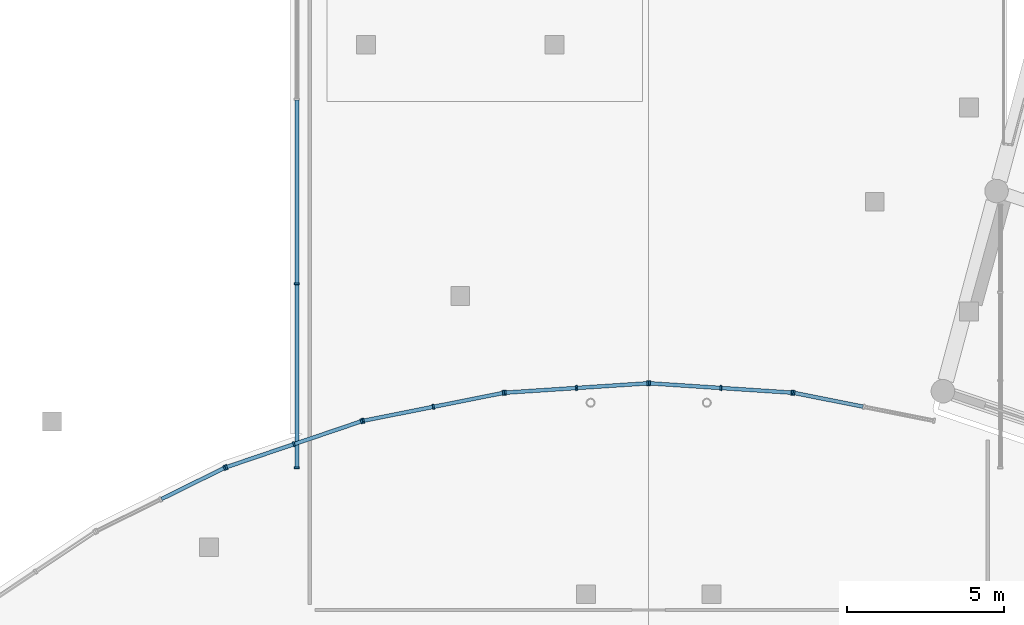
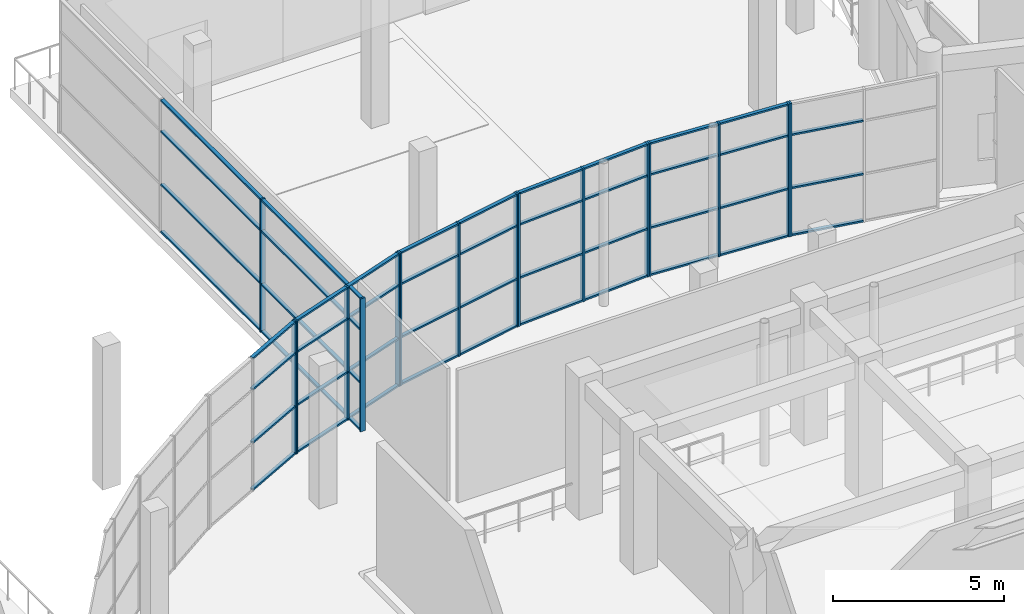
# One storey, part 39 of 99: 63 members, 7 elements without a shape of their own.
"""IFC4 building model written with IfcOpenShell, lengths in metres."""

from ifc_helpers import new_model, si_unit, direction, frame, origin, origin_2d, place, context, subcontext, project, spatial, rectangle, extrude, material, material_profile, profile_set, type_object, element, aggregate, save


model = new_model("IFC4")

# Units and contexts
model_context = context("Model", 3, precision=1e-05, world=origin(), true_north=direction((0.0, 1.0)))
body_context = subcontext(model_context, "Body", "Model", "MODEL_VIEW")
ifc_project = project(units=[si_unit("LENGTHUNIT", "METRE"), si_unit("AREAUNIT", "SQUARE_METRE"), si_unit("VOLUMEUNIT", "CUBIC_METRE"), si_unit("PLANEANGLEUNIT", "RADIAN"), si_unit("MASSUNIT", "GRAM", prefix="KILO")], contexts=[model_context])

# Site, building, storey
site_placement = place(None, origin())
site = spatial("IfcSite", under=ifc_project, at=site_placement, CompositionType="ELEMENT")
building_placement = place(site_placement, origin())
building = spatial("IfcBuilding", under=site, at=building_placement, Name="Saryqyr Civic Hall", CompositionType="ELEMENT")
storey_placement = place(building_placement, origin())
storey = spatial("IfcBuildingStorey", under=building, at=storey_placement, Name="L00", CompositionType="ELEMENT", Elevation=0.0)

# Curtain wall, members
ifc_material_1 = material(Name="Anodised aluminium and triple low-E glass", Category="aluminium")
curtain_wall_type_1 = type_object("IfcCurtainWallType", Name="ENV-CW-STD-65", PredefinedType="NOTDEFINED", material=ifc_material_1)
curtain_wall_1_placement = place(storey_placement, origin())
curtain_wall_1 = element("IfcCurtainWall", 1, at=curtain_wall_1_placement, inside=storey, type_object=curtain_wall_type_1, Name="Curtain wall V2-VESTFLK-NW-L00", PredefinedType="NOTDEFINED")
ifc_material_2 = material(Name="Anodised aluminium", Category="aluminium")
ifc_material_profile_1 = material_profile(ifc_material_2, rectangle(XDim=0.06005859375, YDim=0.159912109375, at=origin_2d()), Name="ALU MULLION 60x160")
ifc_profile_set_1 = profile_set([ifc_material_profile_1], Name="Anodised aluminium")
member_type_1 = type_object("IfcMemberType", Name="ENV-CW-MUL-180", PredefinedType="MULLION", material=ifc_profile_set_1)
member_1_placement = place(storey_placement, frame((45.800048828125, 116.530029296875, 0.0), z_axis=(0.0, 0.0, 1.0), x_axis=(0.0, 1.0, 0.0)))
member_1 = element("IfcMember", 2, at=member_1_placement, type_object=member_type_1, Name="CW-65 mullion 1", PredefinedType="MULLION", context=body_context, shape_type="SweptSolid", body=[
    extrude(rectangle(XDim=0.06005859375, YDim=0.159912109375, at=origin_2d()), origin(), (0.0, 0.0, 1.0), 4.75),
])
member_2_placement = place(storey_placement, frame((45.800048828125, 122.38330078125, 0.0), z_axis=(0.0, 0.0, 1.0), x_axis=(0.0, 1.0, 0.0)))
member_2 = element("IfcMember", 3, at=member_2_placement, type_object=member_type_1, Name="CW-65 mullion 2", PredefinedType="MULLION", context=body_context, shape_type="SweptSolid", body=[
    extrude(rectangle(XDim=0.06005859375, YDim=0.159912109375, at=origin_2d()), origin(), (0.0, 0.0, 1.0), 4.75),
])

# Curtain wall, member
curtain_wall_type_2 = type_object("IfcCurtainWallType", Name="ENV-CW-STD-67", PredefinedType="NOTDEFINED", material=ifc_material_1)
curtain_wall_2_placement = place(storey_placement, origin())
curtain_wall_2 = element("IfcCurtainWall", 4, at=curtain_wall_2_placement, inside=storey, type_object=curtain_wall_type_2, Name="Curtain wall V2-PERIM-CW-L00-10", PredefinedType="NOTDEFINED")
member_3_placement = place(storey_placement, frame((61.62646484375, 118.912841796875, 0.0), z_axis=(0.0, 0.0, 1.0), x_axis=(0.980784679507, -0.195093342902, 0.0)))
member_3 = element("IfcMember", 5, at=member_3_placement, type_object=member_type_1, Name="CW-67 mullion 1", PredefinedType="MULLION", context=body_context, shape_type="SweptSolid", body=[
    extrude(rectangle(XDim=0.06005859375, YDim=0.159912109375, at=origin_2d()), origin(), (0.0, 0.0, 1.0), 4.75),
])

# Curtain wall, members
curtain_wall_3_placement = place(storey_placement, origin())
curtain_wall_3 = element("IfcCurtainWall", 6, at=curtain_wall_3_placement, inside=storey, type_object=curtain_wall_type_2, Name="Curtain wall V2-PERIM-CW-L00-11", PredefinedType="NOTDEFINED")
member_4_placement = place(storey_placement, frame((57.030029296875, 119.218017578125, 0.0), z_axis=(0.0, 0.0, 1.0), x_axis=(0.997859062814, -0.065400999681, 0.0)))
member_4 = element("IfcMember", 7, at=member_4_placement, type_object=member_type_1, Name="CW-67 mullion 1", PredefinedType="MULLION", context=body_context, shape_type="SweptSolid", body=[
    extrude(rectangle(XDim=0.06005859375, YDim=0.159912109375, at=origin_2d()), origin(), (0.0, 0.0, 1.0), 4.75),
])
member_5_placement = place(storey_placement, frame((59.298583984375, 119.0693359375, 0.0), z_axis=(0.0, 0.0, 1.0), x_axis=(0.997859062814, -0.065400999681, 0.0)))
member_5 = element("IfcMember", 8, at=member_5_placement, type_object=member_type_1, Name="CW-67 mullion 2", PredefinedType="MULLION", context=body_context, shape_type="SweptSolid", body=[
    extrude(rectangle(XDim=0.06005859375, YDim=0.159912109375, at=origin_2d()), origin(), (0.0, 0.0, 1.0), 4.75),
])
member_6_placement = place(storey_placement, frame((61.567138671875, 118.920654296875, 0.0), z_axis=(0.0, 0.0, 1.0), x_axis=(0.997859062814, -0.065400999681, 0.0)))
member_6 = element("IfcMember", 9, at=member_6_placement, type_object=member_type_1, Name="CW-67 mullion 3", PredefinedType="MULLION", context=body_context, shape_type="SweptSolid", body=[
    extrude(rectangle(XDim=0.06005859375, YDim=0.159912109375, at=origin_2d()), origin(), (0.0, 0.0, 1.0), 4.75),
])

curtain_wall_4_placement = place(storey_placement, origin())
curtain_wall_4 = element("IfcCurtainWall", 10, at=curtain_wall_4_placement, inside=storey, type_object=curtain_wall_type_2, Name="Curtain wall V2-PERIM-CW-L00-12", PredefinedType="NOTDEFINED")
member_7_placement = place(storey_placement, frame((52.432861328125, 118.920654296875, 0.0), z_axis=(0.0, 0.0, 1.0), x_axis=(0.997859062814, 0.065400999681, 0.0)))
member_7 = element("IfcMember", 11, at=member_7_placement, type_object=member_type_1, Name="CW-67 mullion 1", PredefinedType="MULLION", context=body_context, shape_type="SweptSolid", body=[
    extrude(rectangle(XDim=0.06005859375, YDim=0.159912109375, at=origin_2d()), origin(), (0.0, 0.0, 1.0), 4.75),
])
member_8_placement = place(storey_placement, frame((54.701416015625, 119.0693359375, 0.0), z_axis=(0.0, 0.0, 1.0), x_axis=(0.997859062814, 0.065400999681, 0.0)))
member_8 = element("IfcMember", 12, at=member_8_placement, type_object=member_type_1, Name="CW-67 mullion 2", PredefinedType="MULLION", context=body_context, shape_type="SweptSolid", body=[
    extrude(rectangle(XDim=0.06005859375, YDim=0.159912109375, at=origin_2d()), origin(), (0.0, 0.0, 1.0), 4.75),
])
member_9_placement = place(storey_placement, frame((56.969970703125, 119.218017578125, 0.0), z_axis=(0.0, 0.0, 1.0), x_axis=(0.997859062814, 0.065400999681, 0.0)))
member_9 = element("IfcMember", 13, at=member_9_placement, type_object=member_type_1, Name="CW-67 mullion 3", PredefinedType="MULLION", context=body_context, shape_type="SweptSolid", body=[
    extrude(rectangle(XDim=0.06005859375, YDim=0.159912109375, at=origin_2d()), origin(), (0.0, 0.0, 1.0), 4.75),
])

curtain_wall_5_placement = place(storey_placement, origin())
curtain_wall_5 = element("IfcCurtainWall", 14, at=curtain_wall_5_placement, inside=storey, type_object=curtain_wall_type_2, Name="Curtain wall V2-PERIM-CW-L00-13", PredefinedType="NOTDEFINED")
member_10_placement = place(storey_placement, frame((47.913818359375, 118.025634765625, 0.0), z_axis=(0.0, 0.0, 1.0), x_axis=(0.980784679507, 0.195093342902, 0.0)))
member_10 = element("IfcMember", 15, at=member_10_placement, type_object=member_type_1, Name="CW-67 mullion 1", PredefinedType="MULLION", context=body_context, shape_type="SweptSolid", body=[
    extrude(rectangle(XDim=0.06005859375, YDim=0.159912109375, at=origin_2d()), origin(), (0.0, 0.0, 1.0), 4.75),
])
member_11_placement = place(storey_placement, frame((50.1435546875, 118.46923828125, 0.0), z_axis=(0.0, 0.0, 1.0), x_axis=(0.980784679507, 0.195093342902, 0.0)))
member_11 = element("IfcMember", 16, at=member_11_placement, type_object=member_type_1, Name="CW-67 mullion 2", PredefinedType="MULLION", context=body_context, shape_type="SweptSolid", body=[
    extrude(rectangle(XDim=0.06005859375, YDim=0.159912109375, at=origin_2d()), origin(), (0.0, 0.0, 1.0), 4.75),
])
member_12_placement = place(storey_placement, frame((52.37353515625, 118.912841796875, 0.0), z_axis=(0.0, 0.0, 1.0), x_axis=(0.980784679507, 0.195093342902, 0.0)))
member_12 = element("IfcMember", 17, at=member_12_placement, type_object=member_type_1, Name="CW-67 mullion 3", PredefinedType="MULLION", context=body_context, shape_type="SweptSolid", body=[
    extrude(rectangle(XDim=0.06005859375, YDim=0.159912109375, at=origin_2d()), origin(), (0.0, 0.0, 1.0), 4.75),
])

curtain_wall_6_placement = place(storey_placement, origin())
curtain_wall_6 = element("IfcCurtainWall", 18, at=curtain_wall_6_placement, inside=storey, type_object=curtain_wall_type_2, Name="Curtain wall V2-PERIM-CW-L00-14", PredefinedType="NOTDEFINED")
member_13_placement = place(storey_placement, frame((43.55029296875, 116.548583984375, 0.0), z_axis=(0.0, 0.0, 1.0), x_axis=(0.946928094828, 0.321445459178, 0.0)))
member_13 = element("IfcMember", 19, at=member_13_placement, type_object=member_type_1, Name="CW-67 mullion 1", PredefinedType="MULLION", context=body_context, shape_type="SweptSolid", body=[
    extrude(rectangle(XDim=0.06005859375, YDim=0.159912109375, at=origin_2d()), origin(), (0.0, 0.0, 1.0), 4.75),
])
member_14_placement = place(storey_placement, frame((45.703125, 117.279541015625, 0.0), z_axis=(0.0, 0.0, 1.0), x_axis=(0.946928094828, 0.321445459178, 0.0)))
member_14 = element("IfcMember", 20, at=member_14_placement, type_object=member_type_1, Name="CW-67 mullion 2", PredefinedType="MULLION", context=body_context, shape_type="SweptSolid", body=[
    extrude(rectangle(XDim=0.06005859375, YDim=0.159912109375, at=origin_2d()), origin(), (0.0, 0.0, 1.0), 4.75),
])
member_15_placement = place(storey_placement, frame((47.85595703125, 118.01025390625, 0.0), z_axis=(0.0, 0.0, 1.0), x_axis=(0.946928094828, 0.321445459178, 0.0)))
member_15 = element("IfcMember", 21, at=member_15_placement, type_object=member_type_1, Name="CW-67 mullion 3", PredefinedType="MULLION", context=body_context, shape_type="SweptSolid", body=[
    extrude(rectangle(XDim=0.06005859375, YDim=0.159912109375, at=origin_2d()), origin(), (0.0, 0.0, 1.0), 4.75),
])

# Curtain wall, member
curtain_wall_7_placement = place(storey_placement, origin())
curtain_wall_7 = element("IfcCurtainWall", 22, at=curtain_wall_7_placement, inside=storey, type_object=curtain_wall_type_2, Name="Curtain wall V2-PERIM-CW-L00-15", PredefinedType="NOTDEFINED")
member_16_placement = place(storey_placement, frame((43.494873046875, 116.525634765625, 0.0), z_axis=(0.0, 0.0, 1.0), x_axis=(0.896875116746, 0.442283873729, 0.0)))
member_16 = element("IfcMember", 23, at=member_16_placement, type_object=member_type_1, Name="CW-67 mullion 3", PredefinedType="MULLION", context=body_context, shape_type="SweptSolid", body=[
    extrude(rectangle(XDim=0.06005859375, YDim=0.159912109375, at=origin_2d()), origin(), (0.0, 0.0, 1.0), 4.75),
])

# Member
ifc_material_profile_2 = material_profile(ifc_material_2, rectangle(XDim=0.1201171875, YDim=0.06005859375, at=origin_2d()), Name="ALU TRANSOM 120x60")
ifc_profile_set_2 = profile_set([ifc_material_profile_2], Name="Anodised aluminium")
member_type_2 = type_object("IfcMemberType", Name="ENV-CW-TRN-150", PredefinedType="USERDEFINED", material=ifc_profile_set_2)
member_17_placement = place(storey_placement, frame((45.800048828125, 116.56005859375, 0.030029296875), z_axis=(0.0, 1.0, 0.0), x_axis=(-1.0, 0.0, 0.0)))
member_17 = element("IfcMember", 24, at=member_17_placement, type_object=member_type_2, Name="CW-65 transom 1.1", ObjectType="TRANSOM", PredefinedType="USERDEFINED", context=body_context, shape_type="SweptSolid", body=[
    extrude(rectangle(XDim=0.1201171875, YDim=0.06005859375, at=origin_2d()), origin(), (0.0, 0.0, 1.0), 5.793212890625),
])

member_18_placement = place(storey_placement, frame((45.800048828125, 116.56005859375, 1.7099609375), z_axis=(0.0, 1.0, 0.0), x_axis=(-1.0, 0.0, 0.0)))
member_18 = element("IfcMember", 25, at=member_18_placement, type_object=member_type_2, Name="CW-65 transom 1.2", ObjectType="TRANSOM", PredefinedType="USERDEFINED", context=body_context, shape_type="SweptSolid", body=[
    extrude(rectangle(XDim=0.1201171875, YDim=0.06005859375, at=origin_2d()), origin(), (0.0, 0.0, 1.0), 5.793212890625),
])

member_19_placement = place(storey_placement, frame((45.800048828125, 116.56005859375, 3.610107421875), z_axis=(0.0, 1.0, 0.0), x_axis=(-1.0, 0.0, 0.0)))
member_19 = element("IfcMember", 26, at=member_19_placement, type_object=member_type_2, Name="CW-65 transom 1.3", ObjectType="TRANSOM", PredefinedType="USERDEFINED", context=body_context, shape_type="SweptSolid", body=[
    extrude(rectangle(XDim=0.1201171875, YDim=0.06005859375, at=origin_2d()), origin(), (0.0, 0.0, 1.0), 5.793212890625),
])

member_20_placement = place(storey_placement, frame((45.800048828125, 116.56005859375, 4.719970703125), z_axis=(0.0, 1.0, 0.0), x_axis=(-1.0, 0.0, 0.0)))
member_20 = element("IfcMember", 27, at=member_20_placement, type_object=member_type_2, Name="CW-65 transom 1.4", ObjectType="TRANSOM", PredefinedType="USERDEFINED", context=body_context, shape_type="SweptSolid", body=[
    extrude(rectangle(XDim=0.1201171875, YDim=0.06005859375, at=origin_2d()), origin(), (0.0, 0.0, 1.0), 5.793212890625),
])

member_21_placement = place(storey_placement, frame((45.800048828125, 122.413330078125, 0.030029296875), z_axis=(0.0, 1.0, 0.0), x_axis=(-1.0, 0.0, 0.0)))
member_21 = element("IfcMember", 28, at=member_21_placement, type_object=member_type_2, Name="CW-65 transom 2.1", ObjectType="TRANSOM", PredefinedType="USERDEFINED", context=body_context, shape_type="SweptSolid", body=[
    extrude(rectangle(XDim=0.1201171875, YDim=0.06005859375, at=origin_2d()), origin(), (0.0, 0.0, 1.0), 5.8232421875),
])

member_22_placement = place(storey_placement, frame((45.800048828125, 122.413330078125, 1.7099609375), z_axis=(0.0, 1.0, 0.0), x_axis=(-1.0, 0.0, 0.0)))
member_22 = element("IfcMember", 29, at=member_22_placement, type_object=member_type_2, Name="CW-65 transom 2.2", ObjectType="TRANSOM", PredefinedType="USERDEFINED", context=body_context, shape_type="SweptSolid", body=[
    extrude(rectangle(XDim=0.1201171875, YDim=0.06005859375, at=origin_2d()), origin(), (0.0, 0.0, 1.0), 5.8232421875),
])

member_23_placement = place(storey_placement, frame((45.800048828125, 122.413330078125, 3.610107421875), z_axis=(0.0, 1.0, 0.0), x_axis=(-1.0, 0.0, 0.0)))
member_23 = element("IfcMember", 30, at=member_23_placement, type_object=member_type_2, Name="CW-65 transom 2.3", ObjectType="TRANSOM", PredefinedType="USERDEFINED", context=body_context, shape_type="SweptSolid", body=[
    extrude(rectangle(XDim=0.1201171875, YDim=0.06005859375, at=origin_2d()), origin(), (0.0, 0.0, 1.0), 5.8232421875),
])

member_24_placement = place(storey_placement, frame((45.800048828125, 122.413330078125, 4.719970703125), z_axis=(0.0, 1.0, 0.0), x_axis=(-1.0, 0.0, 0.0)))
member_24 = element("IfcMember", 31, at=member_24_placement, type_object=member_type_2, Name="CW-65 transom 2.4", ObjectType="TRANSOM", PredefinedType="USERDEFINED", context=body_context, shape_type="SweptSolid", body=[
    extrude(rectangle(XDim=0.1201171875, YDim=0.06005859375, at=origin_2d()), origin(), (0.0, 0.0, 1.0), 5.8232421875),
])

aggregate(curtain_wall_1, [member_1, member_2, member_17, member_18, member_19, member_20, member_21, member_22, member_23, member_24])

member_25_placement = place(storey_placement, frame((61.656005859375, 118.906982421875, 0.030029296875), z_axis=(0.980779555737, -0.195119099651, 0.0), x_axis=(0.195119099651, 0.980779555737, 0.0)))
member_25 = element("IfcMember", 32, at=member_25_placement, type_object=member_type_2, Name="CW-67 transom 1.1", ObjectType="TRANSOM", PredefinedType="USERDEFINED", context=body_context, shape_type="SweptSolid", body=[
    extrude(rectangle(XDim=0.1201171875, YDim=0.06005859375, at=origin_2d()), origin(), (0.0, 0.0, 1.0), 2.21337890625),
])

member_26_placement = place(storey_placement, frame((61.656005859375, 118.906982421875, 1.7099609375), z_axis=(0.980779555737, -0.195119099651, 0.0), x_axis=(0.195119099651, 0.980779555737, 0.0)))
member_26 = element("IfcMember", 33, at=member_26_placement, type_object=member_type_2, Name="CW-67 transom 1.2", ObjectType="TRANSOM", PredefinedType="USERDEFINED", context=body_context, shape_type="SweptSolid", body=[
    extrude(rectangle(XDim=0.1201171875, YDim=0.06005859375, at=origin_2d()), origin(), (0.0, 0.0, 1.0), 2.21337890625),
])

member_27_placement = place(storey_placement, frame((61.656005859375, 118.906982421875, 3.610107421875), z_axis=(0.980779555737, -0.195119099651, 0.0), x_axis=(0.195119099651, 0.980779555737, 0.0)))
member_27 = element("IfcMember", 34, at=member_27_placement, type_object=member_type_2, Name="CW-67 transom 1.3", ObjectType="TRANSOM", PredefinedType="USERDEFINED", context=body_context, shape_type="SweptSolid", body=[
    extrude(rectangle(XDim=0.1201171875, YDim=0.06005859375, at=origin_2d()), origin(), (0.0, 0.0, 1.0), 2.21337890625),
])

aggregate(curtain_wall_2, [member_3, member_25, member_26, member_27])

member_28_placement = place(storey_placement, frame((57.059814453125, 119.216064453125, 0.030029296875), z_axis=(0.997858719579, -0.0654062364, 0.0), x_axis=(0.0654062364, 0.997858719579, 0.0)))
member_28 = element("IfcMember", 35, at=member_28_placement, type_object=member_type_2, Name="CW-67 transom 1.1", ObjectType="TRANSOM", PredefinedType="USERDEFINED", context=body_context, shape_type="SweptSolid", body=[
    extrude(rectangle(XDim=0.1201171875, YDim=0.06005859375, at=origin_2d()), origin(), (0.0, 0.0, 1.0), 2.21337890625),
])

member_29_placement = place(storey_placement, frame((57.059814453125, 119.216064453125, 1.7099609375), z_axis=(0.997858719579, -0.0654062364, 0.0), x_axis=(0.0654062364, 0.997858719579, 0.0)))
member_29 = element("IfcMember", 36, at=member_29_placement, type_object=member_type_2, Name="CW-67 transom 1.2", ObjectType="TRANSOM", PredefinedType="USERDEFINED", context=body_context, shape_type="SweptSolid", body=[
    extrude(rectangle(XDim=0.1201171875, YDim=0.06005859375, at=origin_2d()), origin(), (0.0, 0.0, 1.0), 2.21337890625),
])

member_30_placement = place(storey_placement, frame((57.059814453125, 119.216064453125, 3.610107421875), z_axis=(0.997858719579, -0.0654062364, 0.0), x_axis=(0.0654062364, 0.997858719579, 0.0)))
member_30 = element("IfcMember", 37, at=member_30_placement, type_object=member_type_2, Name="CW-67 transom 1.3", ObjectType="TRANSOM", PredefinedType="USERDEFINED", context=body_context, shape_type="SweptSolid", body=[
    extrude(rectangle(XDim=0.1201171875, YDim=0.06005859375, at=origin_2d()), origin(), (0.0, 0.0, 1.0), 2.21337890625),
])

member_31_placement = place(storey_placement, frame((57.059814453125, 119.216064453125, 4.719970703125), z_axis=(0.997858719579, -0.0654062364, 0.0), x_axis=(0.0654062364, 0.997858719579, 0.0)))
member_31 = element("IfcMember", 38, at=member_31_placement, type_object=member_type_2, Name="CW-67 transom 1.4", ObjectType="TRANSOM", PredefinedType="USERDEFINED", context=body_context, shape_type="SweptSolid", body=[
    extrude(rectangle(XDim=0.1201171875, YDim=0.06005859375, at=origin_2d()), origin(), (0.0, 0.0, 1.0), 2.21337890625),
])

member_32_placement = place(storey_placement, frame((59.328369140625, 119.0673828125, 0.030029296875), z_axis=(0.997858719579, -0.0654062364, 0.0), x_axis=(0.0654062364, 0.997858719579, 0.0)))
member_32 = element("IfcMember", 39, at=member_32_placement, type_object=member_type_2, Name="CW-67 transom 2.1", ObjectType="TRANSOM", PredefinedType="USERDEFINED", context=body_context, shape_type="SweptSolid", body=[
    extrude(rectangle(XDim=0.1201171875, YDim=0.06005859375, at=origin_2d()), origin(), (0.0, 0.0, 1.0), 2.21337890625),
])

member_33_placement = place(storey_placement, frame((59.328369140625, 119.0673828125, 1.7099609375), z_axis=(0.997858719579, -0.0654062364, 0.0), x_axis=(0.0654062364, 0.997858719579, 0.0)))
member_33 = element("IfcMember", 40, at=member_33_placement, type_object=member_type_2, Name="CW-67 transom 2.2", ObjectType="TRANSOM", PredefinedType="USERDEFINED", context=body_context, shape_type="SweptSolid", body=[
    extrude(rectangle(XDim=0.1201171875, YDim=0.06005859375, at=origin_2d()), origin(), (0.0, 0.0, 1.0), 2.21337890625),
])

member_34_placement = place(storey_placement, frame((59.328369140625, 119.0673828125, 3.610107421875), z_axis=(0.997858719579, -0.0654062364, 0.0), x_axis=(0.0654062364, 0.997858719579, 0.0)))
member_34 = element("IfcMember", 41, at=member_34_placement, type_object=member_type_2, Name="CW-67 transom 2.3", ObjectType="TRANSOM", PredefinedType="USERDEFINED", context=body_context, shape_type="SweptSolid", body=[
    extrude(rectangle(XDim=0.1201171875, YDim=0.06005859375, at=origin_2d()), origin(), (0.0, 0.0, 1.0), 2.21337890625),
])

member_35_placement = place(storey_placement, frame((59.328369140625, 119.0673828125, 4.719970703125), z_axis=(0.997858719579, -0.0654062364, 0.0), x_axis=(0.0654062364, 0.997858719579, 0.0)))
member_35 = element("IfcMember", 42, at=member_35_placement, type_object=member_type_2, Name="CW-67 transom 2.4", ObjectType="TRANSOM", PredefinedType="USERDEFINED", context=body_context, shape_type="SweptSolid", body=[
    extrude(rectangle(XDim=0.1201171875, YDim=0.06005859375, at=origin_2d()), origin(), (0.0, 0.0, 1.0), 2.21337890625),
])

aggregate(curtain_wall_3, [member_4, member_5, member_6, member_28, member_29, member_30, member_31, member_32, member_33, member_34, member_35])

member_36_placement = place(storey_placement, frame((52.462890625, 118.922607421875, 0.030029296875), z_axis=(0.997858719579, 0.0654062364, 0.0), x_axis=(-0.0654062364, 0.997858719579, 0.0)))
member_36 = element("IfcMember", 43, at=member_36_placement, type_object=member_type_2, Name="CW-67 transom 1.1", ObjectType="TRANSOM", PredefinedType="USERDEFINED", context=body_context, shape_type="SweptSolid", body=[
    extrude(rectangle(XDim=0.1201171875, YDim=0.06005859375, at=origin_2d()), origin(), (0.0, 0.0, 1.0), 2.21337890625),
])

member_37_placement = place(storey_placement, frame((52.462890625, 118.922607421875, 1.7099609375), z_axis=(0.997858719579, 0.0654062364, 0.0), x_axis=(-0.0654062364, 0.997858719579, 0.0)))
member_37 = element("IfcMember", 44, at=member_37_placement, type_object=member_type_2, Name="CW-67 transom 1.2", ObjectType="TRANSOM", PredefinedType="USERDEFINED", context=body_context, shape_type="SweptSolid", body=[
    extrude(rectangle(XDim=0.1201171875, YDim=0.06005859375, at=origin_2d()), origin(), (0.0, 0.0, 1.0), 2.21337890625),
])

member_38_placement = place(storey_placement, frame((52.462890625, 118.922607421875, 3.610107421875), z_axis=(0.997858719579, 0.0654062364, 0.0), x_axis=(-0.0654062364, 0.997858719579, 0.0)))
member_38 = element("IfcMember", 45, at=member_38_placement, type_object=member_type_2, Name="CW-67 transom 1.3", ObjectType="TRANSOM", PredefinedType="USERDEFINED", context=body_context, shape_type="SweptSolid", body=[
    extrude(rectangle(XDim=0.1201171875, YDim=0.06005859375, at=origin_2d()), origin(), (0.0, 0.0, 1.0), 2.21337890625),
])

member_39_placement = place(storey_placement, frame((52.462890625, 118.922607421875, 4.719970703125), z_axis=(0.997858719579, 0.0654062364, 0.0), x_axis=(-0.0654062364, 0.997858719579, 0.0)))
member_39 = element("IfcMember", 46, at=member_39_placement, type_object=member_type_2, Name="CW-67 transom 1.4", ObjectType="TRANSOM", PredefinedType="USERDEFINED", context=body_context, shape_type="SweptSolid", body=[
    extrude(rectangle(XDim=0.1201171875, YDim=0.06005859375, at=origin_2d()), origin(), (0.0, 0.0, 1.0), 2.21337890625),
])

member_40_placement = place(storey_placement, frame((54.7314453125, 119.0712890625, 0.030029296875), z_axis=(0.997858719579, 0.0654062364, 0.0), x_axis=(-0.0654062364, 0.997858719579, 0.0)))
member_40 = element("IfcMember", 47, at=member_40_placement, type_object=member_type_2, Name="CW-67 transom 2.1", ObjectType="TRANSOM", PredefinedType="USERDEFINED", context=body_context, shape_type="SweptSolid", body=[
    extrude(rectangle(XDim=0.1201171875, YDim=0.06005859375, at=origin_2d()), origin(), (0.0, 0.0, 1.0), 2.21337890625),
])

member_41_placement = place(storey_placement, frame((54.7314453125, 119.0712890625, 1.7099609375), z_axis=(0.997858719579, 0.0654062364, 0.0), x_axis=(-0.0654062364, 0.997858719579, 0.0)))
member_41 = element("IfcMember", 48, at=member_41_placement, type_object=member_type_2, Name="CW-67 transom 2.2", ObjectType="TRANSOM", PredefinedType="USERDEFINED", context=body_context, shape_type="SweptSolid", body=[
    extrude(rectangle(XDim=0.1201171875, YDim=0.06005859375, at=origin_2d()), origin(), (0.0, 0.0, 1.0), 2.21337890625),
])

member_42_placement = place(storey_placement, frame((54.7314453125, 119.0712890625, 3.610107421875), z_axis=(0.997858719579, 0.0654062364, 0.0), x_axis=(-0.0654062364, 0.997858719579, 0.0)))
member_42 = element("IfcMember", 49, at=member_42_placement, type_object=member_type_2, Name="CW-67 transom 2.3", ObjectType="TRANSOM", PredefinedType="USERDEFINED", context=body_context, shape_type="SweptSolid", body=[
    extrude(rectangle(XDim=0.1201171875, YDim=0.06005859375, at=origin_2d()), origin(), (0.0, 0.0, 1.0), 2.21337890625),
])

member_43_placement = place(storey_placement, frame((54.7314453125, 119.0712890625, 4.719970703125), z_axis=(0.997858719579, 0.0654062364, 0.0), x_axis=(-0.0654062364, 0.997858719579, 0.0)))
member_43 = element("IfcMember", 50, at=member_43_placement, type_object=member_type_2, Name="CW-67 transom 2.4", ObjectType="TRANSOM", PredefinedType="USERDEFINED", context=body_context, shape_type="SweptSolid", body=[
    extrude(rectangle(XDim=0.1201171875, YDim=0.06005859375, at=origin_2d()), origin(), (0.0, 0.0, 1.0), 2.21337890625),
])

aggregate(curtain_wall_4, [member_7, member_8, member_9, member_36, member_37, member_38, member_39, member_40, member_41, member_42, member_43])

member_44_placement = place(storey_placement, frame((47.943359375, 118.031494140625, 0.030029296875), z_axis=(0.980779555737, 0.195119099651, 0.0), x_axis=(-0.195119099651, 0.980779555737, 0.0)))
member_44 = element("IfcMember", 51, at=member_44_placement, type_object=member_type_2, Name="CW-67 transom 1.1", ObjectType="TRANSOM", PredefinedType="USERDEFINED", context=body_context, shape_type="SweptSolid", body=[
    extrude(rectangle(XDim=0.1201171875, YDim=0.06005859375, at=origin_2d()), origin(), (0.0, 0.0, 1.0), 2.21337890625),
])

member_45_placement = place(storey_placement, frame((47.943359375, 118.031494140625, 1.7099609375), z_axis=(0.980779555737, 0.195119099651, 0.0), x_axis=(-0.195119099651, 0.980779555737, 0.0)))
member_45 = element("IfcMember", 52, at=member_45_placement, type_object=member_type_2, Name="CW-67 transom 1.2", ObjectType="TRANSOM", PredefinedType="USERDEFINED", context=body_context, shape_type="SweptSolid", body=[
    extrude(rectangle(XDim=0.1201171875, YDim=0.06005859375, at=origin_2d()), origin(), (0.0, 0.0, 1.0), 2.21337890625),
])

member_46_placement = place(storey_placement, frame((47.943359375, 118.031494140625, 3.610107421875), z_axis=(0.980779555737, 0.195119099651, 0.0), x_axis=(-0.195119099651, 0.980779555737, 0.0)))
member_46 = element("IfcMember", 53, at=member_46_placement, type_object=member_type_2, Name="CW-67 transom 1.3", ObjectType="TRANSOM", PredefinedType="USERDEFINED", context=body_context, shape_type="SweptSolid", body=[
    extrude(rectangle(XDim=0.1201171875, YDim=0.06005859375, at=origin_2d()), origin(), (0.0, 0.0, 1.0), 2.21337890625),
])

member_47_placement = place(storey_placement, frame((47.943359375, 118.031494140625, 4.719970703125), z_axis=(0.980779555737, 0.195119099651, 0.0), x_axis=(-0.195119099651, 0.980779555737, 0.0)))
member_47 = element("IfcMember", 54, at=member_47_placement, type_object=member_type_2, Name="CW-67 transom 1.4", ObjectType="TRANSOM", PredefinedType="USERDEFINED", context=body_context, shape_type="SweptSolid", body=[
    extrude(rectangle(XDim=0.1201171875, YDim=0.06005859375, at=origin_2d()), origin(), (0.0, 0.0, 1.0), 2.21337890625),
])

member_48_placement = place(storey_placement, frame((50.173095703125, 118.47509765625, 0.030029296875), z_axis=(0.980779555737, 0.195119099651, 0.0), x_axis=(-0.195119099651, 0.980779555737, 0.0)))
member_48 = element("IfcMember", 55, at=member_48_placement, type_object=member_type_2, Name="CW-67 transom 2.1", ObjectType="TRANSOM", PredefinedType="USERDEFINED", context=body_context, shape_type="SweptSolid", body=[
    extrude(rectangle(XDim=0.1201171875, YDim=0.06005859375, at=origin_2d()), origin(), (0.0, 0.0, 1.0), 2.21337890625),
])

member_49_placement = place(storey_placement, frame((50.173095703125, 118.47509765625, 1.7099609375), z_axis=(0.980779555737, 0.195119099651, 0.0), x_axis=(-0.195119099651, 0.980779555737, 0.0)))
member_49 = element("IfcMember", 56, at=member_49_placement, type_object=member_type_2, Name="CW-67 transom 2.2", ObjectType="TRANSOM", PredefinedType="USERDEFINED", context=body_context, shape_type="SweptSolid", body=[
    extrude(rectangle(XDim=0.1201171875, YDim=0.06005859375, at=origin_2d()), origin(), (0.0, 0.0, 1.0), 2.21337890625),
])

member_50_placement = place(storey_placement, frame((50.173095703125, 118.47509765625, 3.610107421875), z_axis=(0.980779555737, 0.195119099651, 0.0), x_axis=(-0.195119099651, 0.980779555737, 0.0)))
member_50 = element("IfcMember", 57, at=member_50_placement, type_object=member_type_2, Name="CW-67 transom 2.3", ObjectType="TRANSOM", PredefinedType="USERDEFINED", context=body_context, shape_type="SweptSolid", body=[
    extrude(rectangle(XDim=0.1201171875, YDim=0.06005859375, at=origin_2d()), origin(), (0.0, 0.0, 1.0), 2.21337890625),
])

member_51_placement = place(storey_placement, frame((50.173095703125, 118.47509765625, 4.719970703125), z_axis=(0.980779555737, 0.195119099651, 0.0), x_axis=(-0.195119099651, 0.980779555737, 0.0)))
member_51 = element("IfcMember", 58, at=member_51_placement, type_object=member_type_2, Name="CW-67 transom 2.4", ObjectType="TRANSOM", PredefinedType="USERDEFINED", context=body_context, shape_type="SweptSolid", body=[
    extrude(rectangle(XDim=0.1201171875, YDim=0.06005859375, at=origin_2d()), origin(), (0.0, 0.0, 1.0), 2.21337890625),
])

aggregate(curtain_wall_5, [member_10, member_11, member_12, member_44, member_45, member_46, member_47, member_48, member_49, member_50, member_51])

member_52_placement = place(storey_placement, frame((43.57861328125, 116.558349609375, 0.030029296875), z_axis=(0.946948734697, 0.321384650933, 0.0), x_axis=(-0.321384650933, 0.946948734697, 0.0)))
member_52 = element("IfcMember", 59, at=member_52_placement, type_object=member_type_2, Name="CW-67 transom 1.1", ObjectType="TRANSOM", PredefinedType="USERDEFINED", context=body_context, shape_type="SweptSolid", body=[
    extrude(rectangle(XDim=0.1201171875, YDim=0.06005859375, at=origin_2d()), origin(), (0.0, 0.0, 1.0), 2.213623046875),
])

member_53_placement = place(storey_placement, frame((43.57861328125, 116.558349609375, 1.7099609375), z_axis=(0.946948734697, 0.321384650933, 0.0), x_axis=(-0.321384650933, 0.946948734697, 0.0)))
member_53 = element("IfcMember", 60, at=member_53_placement, type_object=member_type_2, Name="CW-67 transom 1.2", ObjectType="TRANSOM", PredefinedType="USERDEFINED", context=body_context, shape_type="SweptSolid", body=[
    extrude(rectangle(XDim=0.1201171875, YDim=0.06005859375, at=origin_2d()), origin(), (0.0, 0.0, 1.0), 2.213623046875),
])

member_54_placement = place(storey_placement, frame((43.57861328125, 116.558349609375, 3.610107421875), z_axis=(0.946948734697, 0.321384650933, 0.0), x_axis=(-0.321384650933, 0.946948734697, 0.0)))
member_54 = element("IfcMember", 61, at=member_54_placement, type_object=member_type_2, Name="CW-67 transom 1.3", ObjectType="TRANSOM", PredefinedType="USERDEFINED", context=body_context, shape_type="SweptSolid", body=[
    extrude(rectangle(XDim=0.1201171875, YDim=0.06005859375, at=origin_2d()), origin(), (0.0, 0.0, 1.0), 2.213623046875),
])

member_55_placement = place(storey_placement, frame((43.57861328125, 116.558349609375, 4.719970703125), z_axis=(0.946948734697, 0.321384650933, 0.0), x_axis=(-0.321384650933, 0.946948734697, 0.0)))
member_55 = element("IfcMember", 62, at=member_55_placement, type_object=member_type_2, Name="CW-67 transom 1.4", ObjectType="TRANSOM", PredefinedType="USERDEFINED", context=body_context, shape_type="SweptSolid", body=[
    extrude(rectangle(XDim=0.1201171875, YDim=0.06005859375, at=origin_2d()), origin(), (0.0, 0.0, 1.0), 2.213623046875),
])

member_56_placement = place(storey_placement, frame((45.7314453125, 117.2890625, 0.030029296875), z_axis=(0.946915165682, 0.321483543904, 0.0), x_axis=(-0.321483543904, 0.946915165682, 0.0)))
member_56 = element("IfcMember", 63, at=member_56_placement, type_object=member_type_2, Name="CW-67 transom 2.1", ObjectType="TRANSOM", PredefinedType="USERDEFINED", context=body_context, shape_type="SweptSolid", body=[
    extrude(rectangle(XDim=0.1201171875, YDim=0.06005859375, at=origin_2d()), origin(), (0.0, 0.0, 1.0), 2.213623046875),
])

member_57_placement = place(storey_placement, frame((45.7314453125, 117.2890625, 1.7099609375), z_axis=(0.946915165682, 0.321483543904, 0.0), x_axis=(-0.321483543904, 0.946915165682, 0.0)))
member_57 = element("IfcMember", 64, at=member_57_placement, type_object=member_type_2, Name="CW-67 transom 2.2", ObjectType="TRANSOM", PredefinedType="USERDEFINED", context=body_context, shape_type="SweptSolid", body=[
    extrude(rectangle(XDim=0.1201171875, YDim=0.06005859375, at=origin_2d()), origin(), (0.0, 0.0, 1.0), 2.213623046875),
])

member_58_placement = place(storey_placement, frame((45.7314453125, 117.2890625, 3.610107421875), z_axis=(0.946915165682, 0.321483543904, 0.0), x_axis=(-0.321483543904, 0.946915165682, 0.0)))
member_58 = element("IfcMember", 65, at=member_58_placement, type_object=member_type_2, Name="CW-67 transom 2.3", ObjectType="TRANSOM", PredefinedType="USERDEFINED", context=body_context, shape_type="SweptSolid", body=[
    extrude(rectangle(XDim=0.1201171875, YDim=0.06005859375, at=origin_2d()), origin(), (0.0, 0.0, 1.0), 2.213623046875),
])

member_59_placement = place(storey_placement, frame((45.7314453125, 117.2890625, 4.719970703125), z_axis=(0.946915165682, 0.321483543904, 0.0), x_axis=(-0.321483543904, 0.946915165682, 0.0)))
member_59 = element("IfcMember", 66, at=member_59_placement, type_object=member_type_2, Name="CW-67 transom 2.4", ObjectType="TRANSOM", PredefinedType="USERDEFINED", context=body_context, shape_type="SweptSolid", body=[
    extrude(rectangle(XDim=0.1201171875, YDim=0.06005859375, at=origin_2d()), origin(), (0.0, 0.0, 1.0), 2.213623046875),
])

aggregate(curtain_wall_6, [member_13, member_14, member_15, member_52, member_53, member_54, member_55, member_56, member_57, member_58, member_59])

member_60_placement = place(storey_placement, frame((41.48291015625, 115.533447265625, 0.030029296875), z_axis=(0.896862479168, 0.442309499627, 0.0), x_axis=(-0.442309499627, 0.896862479168, 0.0)))
member_60 = element("IfcMember", 67, at=member_60_placement, type_object=member_type_2, Name="CW-67 transom 2.1", ObjectType="TRANSOM", PredefinedType="USERDEFINED", context=body_context, shape_type="SweptSolid", body=[
    extrude(rectangle(XDim=0.1201171875, YDim=0.06005859375, at=origin_2d()), origin(), (0.0, 0.0, 1.0), 2.21337890625),
])

member_61_placement = place(storey_placement, frame((41.48291015625, 115.533447265625, 1.7099609375), z_axis=(0.896862479168, 0.442309499627, 0.0), x_axis=(-0.442309499627, 0.896862479168, 0.0)))
member_61 = element("IfcMember", 68, at=member_61_placement, type_object=member_type_2, Name="CW-67 transom 2.2", ObjectType="TRANSOM", PredefinedType="USERDEFINED", context=body_context, shape_type="SweptSolid", body=[
    extrude(rectangle(XDim=0.1201171875, YDim=0.06005859375, at=origin_2d()), origin(), (0.0, 0.0, 1.0), 2.21337890625),
])

member_62_placement = place(storey_placement, frame((41.48291015625, 115.533447265625, 3.610107421875), z_axis=(0.896862479168, 0.442309499627, 0.0), x_axis=(-0.442309499627, 0.896862479168, 0.0)))
member_62 = element("IfcMember", 69, at=member_62_placement, type_object=member_type_2, Name="CW-67 transom 2.3", ObjectType="TRANSOM", PredefinedType="USERDEFINED", context=body_context, shape_type="SweptSolid", body=[
    extrude(rectangle(XDim=0.1201171875, YDim=0.06005859375, at=origin_2d()), origin(), (0.0, 0.0, 1.0), 2.21337890625),
])

member_63_placement = place(storey_placement, frame((41.48291015625, 115.533447265625, 4.719970703125), z_axis=(0.896862479168, 0.442309499627, 0.0), x_axis=(-0.442309499627, 0.896862479168, 0.0)))
member_63 = element("IfcMember", 70, at=member_63_placement, type_object=member_type_2, Name="CW-67 transom 2.4", ObjectType="TRANSOM", PredefinedType="USERDEFINED", context=body_context, shape_type="SweptSolid", body=[
    extrude(rectangle(XDim=0.1201171875, YDim=0.06005859375, at=origin_2d()), origin(), (0.0, 0.0, 1.0), 2.21337890625),
])

aggregate(curtain_wall_7, [member_16, member_60, member_61, member_62, member_63])

save(model, "model.ifc")
